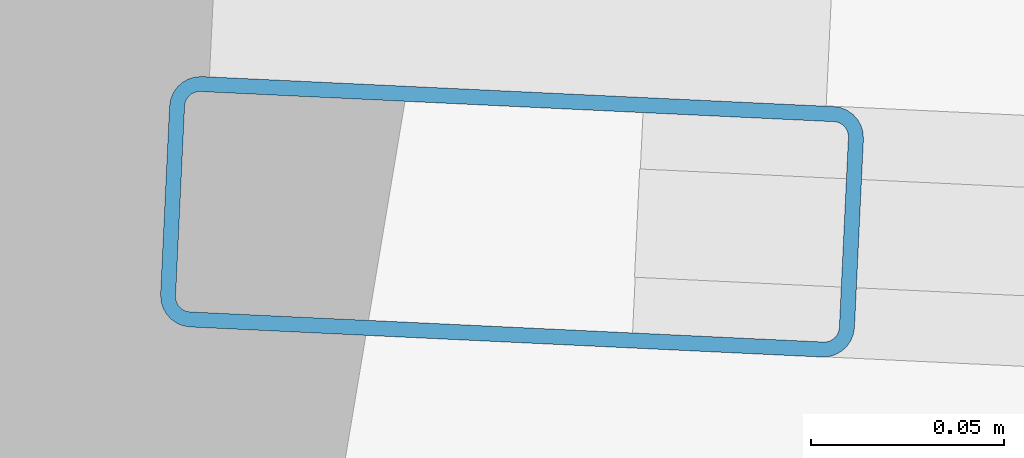
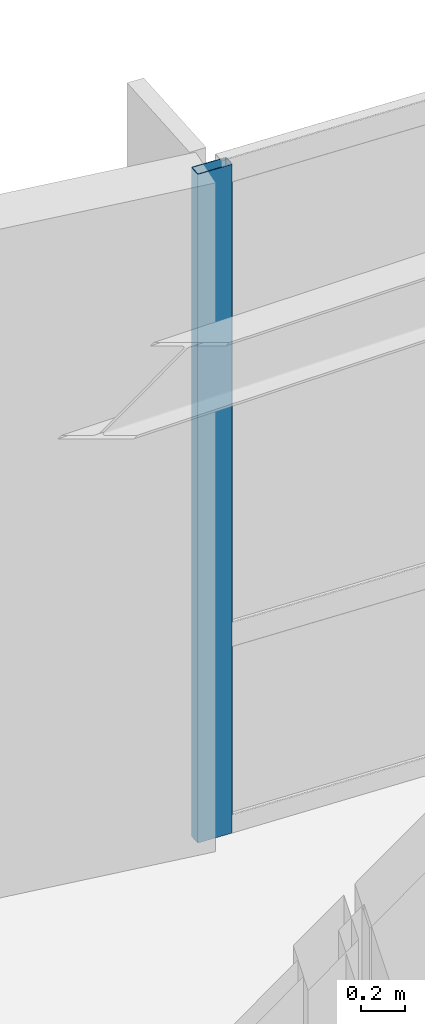
# One storey, part 6 of 16: 1 member, 1 element without a shape of its own.
"""IFC4 building model written with IfcOpenShell, lengths in metres."""

from ifc_helpers import new_model, si_unit, direction, frame, origin, origin_2d, place, context, subcontext, project, spatial, hollow_rectangle, extrude, material, layer, layer_set, material_profile, profile_set, type_object, element, aggregate, save


model = new_model("IFC4")

# Units and contexts
model_context = context("Model", 3, precision=1e-05, world=origin(), true_north=direction((0.0, 1.0)))
body_context = subcontext(model_context, "Body", "Model", "MODEL_VIEW")
ifc_project = project(units=[si_unit("LENGTHUNIT", "METRE"), si_unit("AREAUNIT", "SQUARE_METRE"), si_unit("VOLUMEUNIT", "CUBIC_METRE"), si_unit("PLANEANGLEUNIT", "RADIAN"), si_unit("MASSUNIT", "GRAM", prefix="KILO")], contexts=[model_context])

# Site, building, storey
site_placement = place(None, origin())
site = spatial("IfcSite", under=ifc_project, at=site_placement, CompositionType="ELEMENT")
building_placement = place(site_placement, origin())
building = spatial("IfcBuilding", under=site, at=building_placement, Name="Varnakote Quay Hospital", CompositionType="ELEMENT")
storey_placement = place(building_placement, frame((0.0, 0.0, 264.449951171875)))
storey = spatial("IfcBuildingStorey", under=building, at=storey_placement, Name="L65", CompositionType="ELEMENT", Elevation=264.449951171875)

# Curtain wall, member
ifc_material_1 = material(Name="Anodised aluminium 6063-T6 Bronze", Category="aluminium")
ifc_layer = layer(ifc_material_1, 0.235107421875)
ifc_layer_set = layer_set([ifc_layer], Name="Anodised aluminium 6063-T6 Bronze")
curtain_wall_type = type_object("IfcCurtainWallType", Name="CW-SYS-5", PredefinedType="NOTDEFINED", material=ifc_layer_set)
curtain_wall_placement = place(storey_placement, origin())
curtain_wall = element("IfcCurtainWall", 1, at=curtain_wall_placement, inside=storey, type_object=curtain_wall_type, Name="L65 Unitised Bronze Curtain Wall 2", PredefinedType="NOTDEFINED")
ifc_material_2 = material(Name="Anodised aluminium 6063-T6 Bronze", Category="aluminium")
ifc_material_profile = material_profile(ifc_material_2, hollow_rectangle(XDim=0.06494140625, YDim=0.179931640625, WallThickness=0.00390625, InnerFilletRadius=0.00390625, OuterFilletRadius=0.008056640625, at=origin_2d()), Name="CW-MULL-180x65")
ifc_profile_set = profile_set([ifc_material_profile], Name="Anodised aluminium 6063-T6 Bronze")
member_type = type_object("IfcMemberType", Name="CW-MULL-180x65", PredefinedType="MULLION", material=ifc_profile_set)
member_placement = place(storey_placement, frame((28.71142578125, 29.967041015625, 0.0), z_axis=(0.0, 0.0, 1.0), x_axis=(-0.04749674026, -0.998871392955, 0.0)))
member = element("IfcMember", 2, at=member_placement, type_object=member_type, Name="-5-L65-2 mullion 4", PredefinedType="MULLION", context=body_context, shape_type="SweptSolid", body=[
    extrude(hollow_rectangle(XDim=0.06494140625, YDim=0.179931640625, WallThickness=0.00390625, InnerFilletRadius=0.00390625, OuterFilletRadius=0.008056640625, at=origin_2d()), origin(), (0.0, 0.0, 1.0), 3.7099609375),
])
aggregate(curtain_wall, [member])

save(model, "model.ifc")
